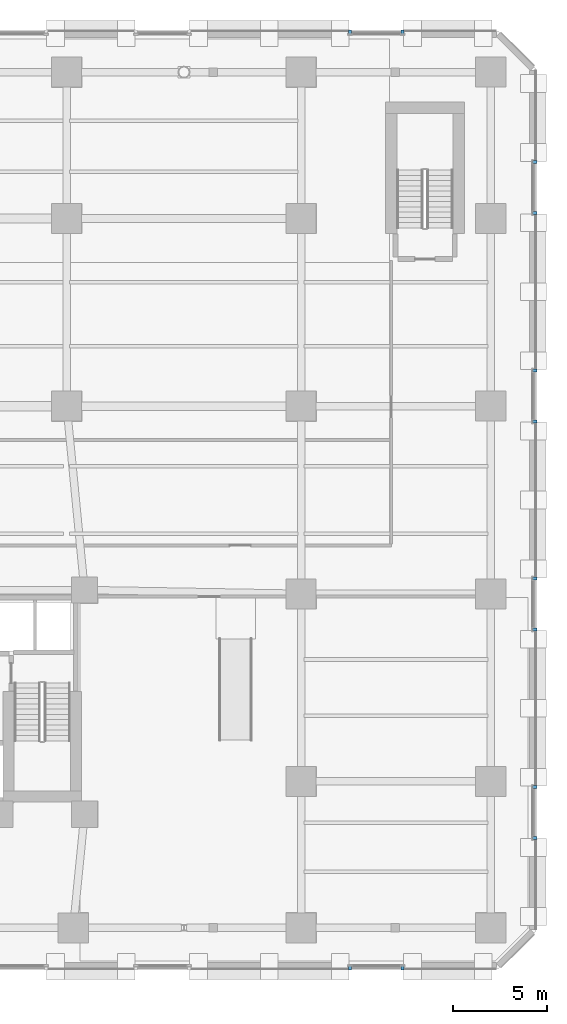
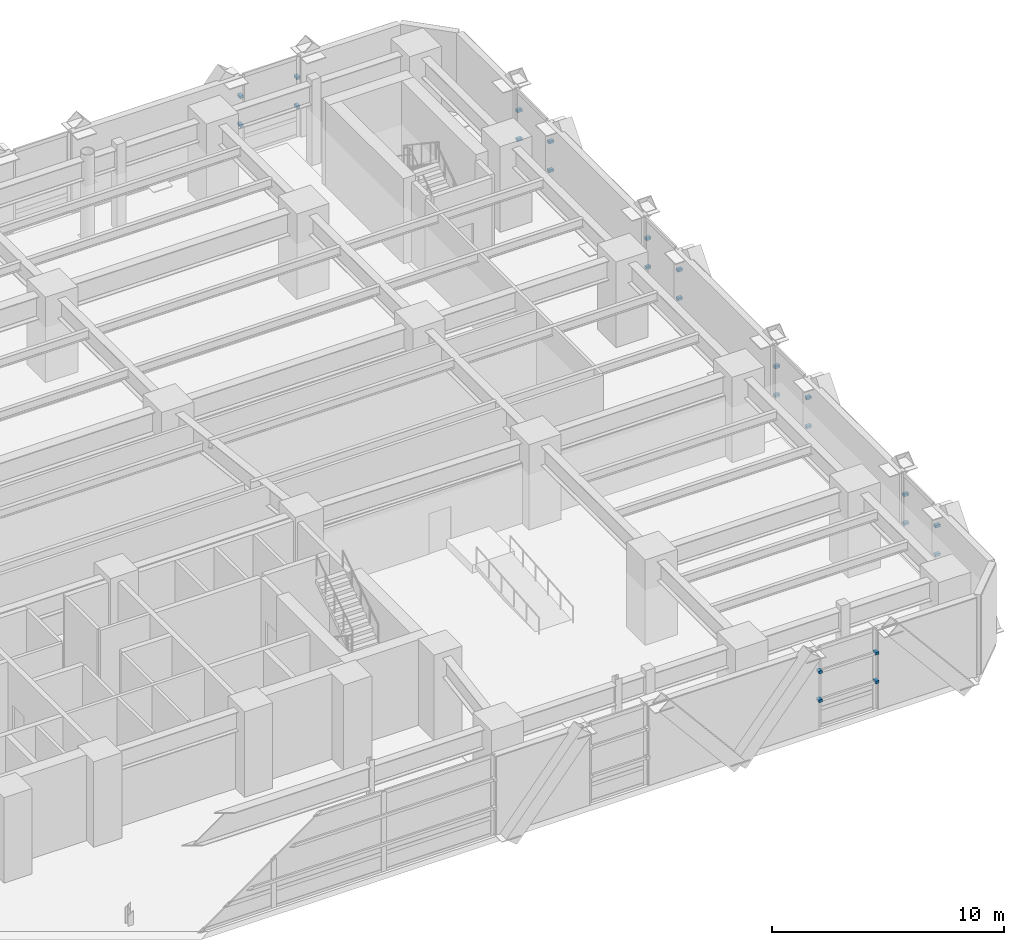
# One storey, part 19 of 26: 24 discrete accessories.
"""IFC4 building model written with IfcOpenShell, lengths in metres."""

from ifc_helpers import new_model, si_unit, direction, frame, origin, origin_2d, place, context, subcontext, project, spatial, rectangle, extrude, material, type_object, element, save


model = new_model("IFC4")

# Units and contexts
model_context = context("Model", 3, precision=1e-05, world=origin(), true_north=direction((0.0, 1.0)))
body_context = subcontext(model_context, "Body", "Model", "MODEL_VIEW")
ifc_project = project(units=[si_unit("LENGTHUNIT", "METRE"), si_unit("AREAUNIT", "SQUARE_METRE"), si_unit("VOLUMEUNIT", "CUBIC_METRE"), si_unit("PLANEANGLEUNIT", "RADIAN"), si_unit("MASSUNIT", "GRAM", prefix="KILO")], contexts=[model_context])

# Site, building, storey
site_placement = place(None, origin())
site = spatial("IfcSite", under=ifc_project, at=site_placement, CompositionType="ELEMENT")
building_placement = place(site_placement, origin())
building = spatial("IfcBuilding", under=site, at=building_placement, Name="Quenlor Broadcast Tower", CompositionType="ELEMENT")
storey_placement = place(building_placement, frame((0.0, 0.0, 5.0)))
storey = spatial("IfcBuildingStorey", under=building, at=storey_placement, Name="L01", CompositionType="ELEMENT", Elevation=5.0)

# Discrete accessories
ifc_material = material(Name="Aluminium 6063-T6", Category="aluminium")
discrete_accessory_type = type_object("IfcDiscreteAccessoryType", Name="Stainless Mullion Baguette Support Bracket", PredefinedType="BRACKET", material=ifc_material)
for number, where, z_axis, x_axis, name in (
    (1, (29.909423828125, -24.93994140625, 1.44189453125), (0.0, 0.0, 1.0), (-1.0, 0.0, 0.0), "L01 Baguette Mullion Bracket 1.1"),
    (2, (27.090576171875, -24.93994140625, 1.44189453125), (0.0, 0.0, 1.0), (-1.0, 0.0, 0.0), "L01 Baguette Mullion Bracket 1.2"),
    (3, (29.909423828125, -24.93994140625, 2.9541015625), (0.0, 0.0, 1.0), (-1.0, 0.0, 0.0), "L01 Baguette Mullion Bracket 2.1"),
    (4, (27.090576171875, -24.93994140625, 2.9541015625), (0.0, 0.0, 1.0), (-1.0, 0.0, 0.0), "L01 Baguette Mullion Bracket 2.2"),
    (5, (27.090576171875, 24.93994140625, 1.44189453125), (0.0, 0.0, 1.0), (1.0, 0.0, 0.0), "L01 Baguette Mullion Bracket 1.1"),
    (6, (29.909423828125, 24.93994140625, 1.44189453125), (0.0, 0.0, 1.0), (1.0, 0.0, 0.0), "L01 Baguette Mullion Bracket 1.2"),
    (7, (27.090576171875, 24.93994140625, 2.9541015625), (0.0, 0.0, 1.0), (1.0, 0.0, 0.0), "L01 Baguette Mullion Bracket 2.1"),
    (8, (29.909423828125, 24.93994140625, 2.9541015625), (0.0, 0.0, 1.0), (1.0, 0.0, 0.0), "L01 Baguette Mullion Bracket 2.2"),
    (9, (36.93994140625, 18.00634765625, 1.44189453125), (0.0, 0.0, 1.0), (0.0, -1.0, 0.0), "L01 Baguette Mullion Bracket 1.1"),
    (10, (36.93994140625, 15.293701171875, 1.44189453125), (0.0, 0.0, 1.0), (0.0, -1.0, 0.0), "L01 Baguette Mullion Bracket 1.2"),
    (11, (36.93994140625, 18.00634765625, 2.9541015625), (0.0, 0.0, 1.0), (0.0, -1.0, 0.0), "L01 Baguette Mullion Bracket 2.1"),
    (12, (36.93994140625, 15.293701171875, 2.9541015625), (0.0, 0.0, 1.0), (0.0, -1.0, 0.0), "L01 Baguette Mullion Bracket 2.2"),
    (13, (36.93994140625, 6.90625, 1.44189453125), (0.0, 0.0, 1.0), (0.0, -1.0, 0.0), "L01 Baguette Mullion Bracket 1.1"),
    (14, (36.93994140625, 4.193603515625, 1.44189453125), (0.0, 0.0, 1.0), (0.0, -1.0, 0.0), "L01 Baguette Mullion Bracket 1.2"),
    (15, (36.93994140625, 6.90625, 2.9541015625), (0.0, 0.0, 1.0), (0.0, -1.0, 0.0), "L01 Baguette Mullion Bracket 2.1"),
    (16, (36.93994140625, 4.193603515625, 2.9541015625), (0.0, 0.0, 1.0), (0.0, -1.0, 0.0), "L01 Baguette Mullion Bracket 2.2"),
    (17, (36.93994140625, -4.193603515625, 1.44189453125), (0.0, 0.0, 1.0), (0.0, -1.0, 0.0), "L01 Baguette Mullion Bracket 1.1"),
    (18, (36.93994140625, -6.90625, 1.44189453125), (0.0, 0.0, 1.0), (0.0, -1.0, 0.0), "L01 Baguette Mullion Bracket 1.2"),
    (19, (36.93994140625, -4.193603515625, 2.9541015625), (0.0, 0.0, 1.0), (0.0, -1.0, 0.0), "L01 Baguette Mullion Bracket 2.1"),
    (20, (36.93994140625, -6.90625, 2.9541015625), (0.0, 0.0, 1.0), (0.0, -1.0, 0.0), "L01 Baguette Mullion Bracket 2.2"),
    (21, (36.93994140625, -15.293701171875, 1.44189453125), (0.0, 0.0, 1.0), (0.0, -1.0, 0.0), "L01 Baguette Mullion Bracket 1.1"),
    (22, (36.93994140625, -18.00634765625, 1.44189453125), (0.0, 0.0, 1.0), (0.0, -1.0, 0.0), "L01 Baguette Mullion Bracket 1.2"),
    (23, (36.93994140625, -15.293701171875, 2.9541015625), (0.0, 0.0, 1.0), (0.0, -1.0, 0.0), "L01 Baguette Mullion Bracket 2.1"),
    (24, (36.93994140625, -18.00634765625, 2.9541015625), (0.0, 0.0, 1.0), (0.0, -1.0, 0.0), "L01 Baguette Mullion Bracket 2.2"),
):
    element("IfcDiscreteAccessory", number, at=place(storey_placement, frame(where, z_axis=z_axis, x_axis=x_axis)), inside=storey, type_object=discrete_accessory_type, Name=name, PredefinedType="BRACKET", context=body_context, shape_type="SweptSolid", body=[
        extrude(rectangle(XDim=0.159912109375, YDim=0.239990234375, at=origin_2d()), origin(), (0.0, 0.0, 1.0), 0.139892578125),
    ])

save(model, "model.ifc")
